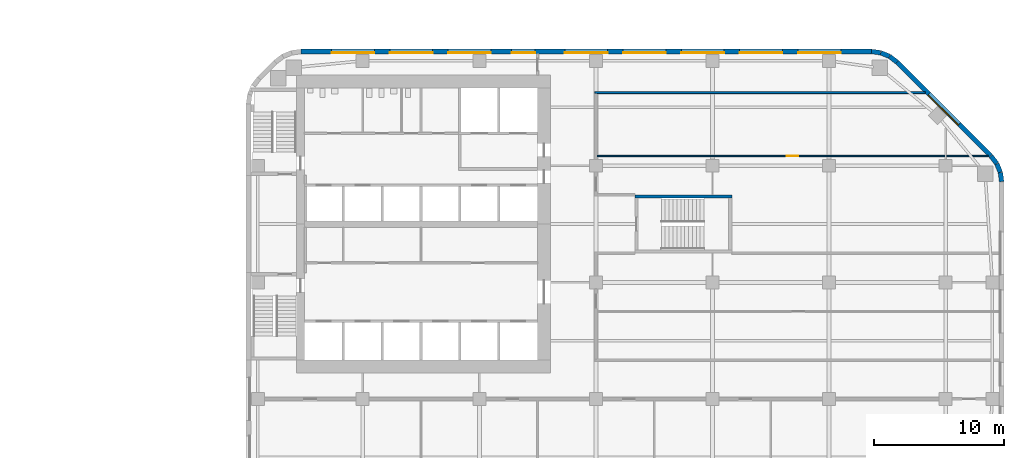
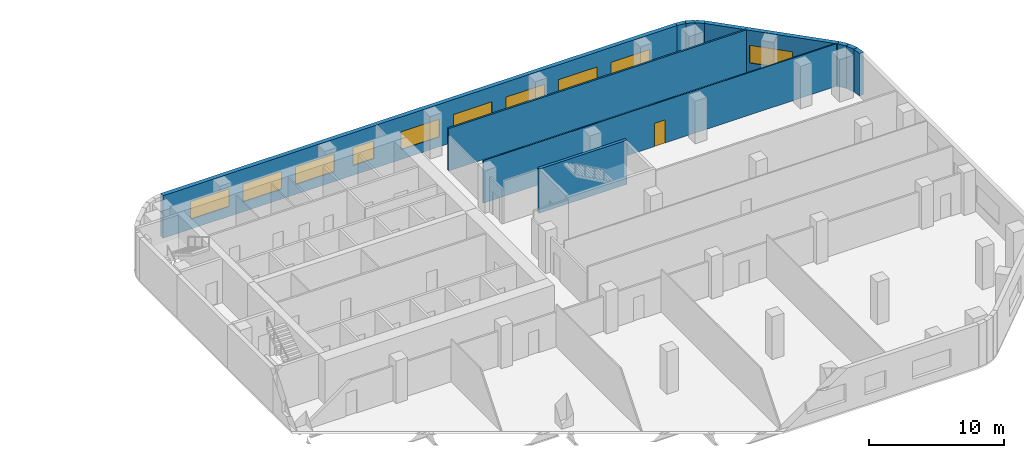
# One storey, part 11 of 15: 11 walls, 10 windows, 1 door, 11 openings.
"""IFC4 building model written with IfcOpenShell, lengths in metres."""

from ifc_helpers import new_model, si_unit, direction, frame, frame_2d, origin, place, context, subcontext, project, spatial, rectangle, extrude, material, layer, layer_set, type_object, element, fill, save


model = new_model("IFC4")

# Units and contexts
model_context = context("Model", 3, precision=1e-05, world=origin(), true_north=direction((0.0, 1.0)))
body_context = subcontext(model_context, "Body", "Model", "MODEL_VIEW")
ifc_project = project(units=[si_unit("LENGTHUNIT", "METRE"), si_unit("AREAUNIT", "SQUARE_METRE"), si_unit("VOLUMEUNIT", "CUBIC_METRE"), si_unit("PLANEANGLEUNIT", "RADIAN"), si_unit("MASSUNIT", "GRAM", prefix="KILO")], contexts=[model_context])

# Site, building, storey
site_placement = place(None, origin())
site = spatial("IfcSite", under=ifc_project, at=site_placement, CompositionType="ELEMENT")
building_placement = place(site_placement, origin())
building = spatial("IfcBuilding", under=site, at=building_placement, Name="Cinnabar Reach Civic Tower", CompositionType="ELEMENT")
storey_placement = place(building_placement, frame((0.0, 0.0, 63.0)))
storey = spatial("IfcBuildingStorey", under=building, at=storey_placement, Name="L14", CompositionType="ELEMENT", Elevation=63.0)

# Walls
ifc_material_1 = material(Name="Facing brick with insulated backing", Category="masonry")
ifc_layer_1 = layer(ifc_material_1, 0.36)
ifc_layer_set_1 = layer_set([ifc_layer_1], Name="Brick corner wall")
wall_type_1 = type_object("IfcWallType", Name="Brick corner wall", PredefinedType="STANDARD", material=ifc_layer_set_1)
for number, where, z_axis, x_axis, name in (
    (1, (58.317, 34.7686, 0.0), (0.0, 0.0, 1.0), (-0.13055608231, 0.99144092581, 0.0), "Brick corner wall"),
    (2, (58.2181, 35.4973, 0.0), (0.0, 0.0, 1.0), (-0.382702709855, 0.923871547278, 0.0), "Brick corner wall"),
):
    element("IfcWall", number, at=place(storey_placement, frame(where, z_axis=z_axis, x_axis=x_axis)), inside=storey, type_object=wall_type_1, Name=name, PredefinedType="STANDARD", context=body_context, shape_type="SweptSolid", body=[
        extrude(rectangle(XDim=0.7131, YDim=0.36, at=frame_2d((0.3565, 0.0))), origin(), (0.0, 0.0, 1.0), 3.85),
    ])
for number, where, z_axis, x_axis, name in (
    (3, (57.934, 36.1755, 0.0), (0.0, 0.0, 1.0), (-0.608802368033, 0.793321924995, 0.0), "Brick corner wall"),
    (4, (50.2413, 43.9998, 0.0), (0.0, 0.0, 1.0), (-0.793321924995, 0.608802368033, 0.0), "Brick corner wall"),
):
    element("IfcWall", number, at=place(storey_placement, frame(where, z_axis=z_axis, x_axis=x_axis)), inside=storey, type_object=wall_type_1, Name=name, PredefinedType="STANDARD", context=body_context, shape_type="SweptSolid", body=[
        extrude(rectangle(XDim=0.7132, YDim=0.36, at=frame_2d((0.3566, 0.0))), origin(), (0.0, 0.0, 1.0), 3.85),
    ])
for number, where, z_axis, x_axis, name in (
    (5, (49.6561, 44.4452, 0.0), (0.0, 0.0, 1.0), (-0.923871547278, 0.382702709855, 0.0), "Brick corner wall"),
    (6, (48.9756, 44.7239, 0.0), (0.0, 0.0, 1.0), (-0.99144092581, 0.13055608231, 0.0), "Brick corner wall"),
):
    element("IfcWall", number, at=place(storey_placement, frame(where, z_axis=z_axis, x_axis=x_axis)), inside=storey, type_object=wall_type_1, Name=name, PredefinedType="STANDARD", context=body_context, shape_type="SweptSolid", body=[
        extrude(rectangle(XDim=0.7131, YDim=0.36, at=frame_2d((0.3565, 0.0))), origin(), (0.0, 0.0, 1.0), 3.85),
    ])

# Wall, opening, window
ifc_layer_2 = layer(ifc_material_1, 0.36)
ifc_layer_set_2 = layer_set([ifc_layer_2], Name="Brick pier and spandrel wall")
wall_type_2 = type_object("IfcWallType", Name="Brick pier and spandrel wall", PredefinedType="STANDARD", material=ifc_layer_set_2)
wall_1_placement = place(storey_placement, frame((57.494, 36.7514, 0.0), z_axis=(0.0, 0.0, 1.0), x_axis=(-0.707106781187, 0.707106781187, 0.0)))
wall_1 = element("IfcWall", 7, at=wall_1_placement, inside=storey, type_object=wall_type_2, Name="Brick facade wall", PredefinedType="STANDARD", context=body_context, shape_type="SweptSolid", body=[
    extrude(rectangle(XDim=10.2426, YDim=0.36, at=frame_2d((5.1213, 0.0))), origin(), (0.0, 0.0, 1.0), 3.85),
])
opening_1_placement = place(wall_1_placement, frame((3.4713, 0.0, 0.9)))
opening_1 = element("IfcOpeningElement", 8, at=opening_1_placement, cuts=wall_1, Name="Opening W1254", PredefinedType="OPENING", context=body_context, shape_type="SweptSolid", body=[
    extrude(rectangle(XDim=3.3, YDim=1.6, at=frame_2d((1.65, 0.8))), frame((0.0, 0.19, 0.0), z_axis=(0.0, -1.0, 0.0), x_axis=(1.0, 0.0, 0.0)), (0.0, 0.0, 1.0), 0.38),
])
ifc_material_2 = material(Name="Clear double glazing in aluminium frame", Category="aluminium")
window_type_1 = type_object("IfcWindowType", Name="Deep-set window A", PartitioningType="SINGLE_PANEL", PredefinedType="WINDOW", material=ifc_material_2)
window_1_placement = place(opening_1_placement, origin())
window_1 = element("IfcWindow", 9, at=window_1_placement, inside=storey, type_object=window_type_1, Name="Window northeast face", OverallHeight=1.6, OverallWidth=3.3, PartitioningType="SINGLE_PANEL", PredefinedType="WINDOW", context=body_context, shape_type="SweptSolid", body=[
    extrude(rectangle(XDim=3.3, YDim=1.6, at=frame_2d((1.65, 0.8))), frame((0.0, 0.13, 0.0), z_axis=(0.0, -1.0, 0.0), x_axis=(1.0, 0.0, 0.0)), (0.0, 0.0, 1.0), 0.06),
])
fill(opening_1, window_1)

# Wall, openings, windows
wall_2_placement = place(storey_placement, frame((48.2574, 44.82, 0.0), z_axis=(0.0, 0.0, 1.0), x_axis=(-1.0, 0.0, 0.0)))
wall_2 = element("IfcWall", 10, at=wall_2_placement, inside=storey, type_object=wall_type_2, Name="Brick facade wall", PredefinedType="STANDARD", context=body_context, shape_type="SweptSolid", body=[
    extrude(rectangle(XDim=44.0148, YDim=0.36, at=frame_2d((22.0074, 0.0))), origin(), (0.0, 0.0, 1.0), 3.85),
])
opening_2_placement = place(wall_2_placement, frame((2.3574, 0.0, 0.9)))
opening_2 = element("IfcOpeningElement", 11, at=opening_2_placement, cuts=wall_2, Name="Opening W1255", PredefinedType="OPENING", context=body_context, shape_type="SweptSolid", body=[
    extrude(rectangle(XDim=3.3, YDim=1.6, at=frame_2d((1.65, 0.8))), frame((0.0, 0.19, 0.0), z_axis=(0.0, -1.0, 0.0), x_axis=(1.0, 0.0, 0.0)), (0.0, 0.0, 1.0), 0.38),
])
opening_3_placement = place(wall_2_placement, frame((6.8574, 0.0, 0.9)))
opening_3 = element("IfcOpeningElement", 12, at=opening_3_placement, cuts=wall_2, Name="Opening W1256", PredefinedType="OPENING", context=body_context, shape_type="SweptSolid", body=[
    extrude(rectangle(XDim=3.3, YDim=1.6, at=frame_2d((1.65, 0.8))), frame((0.0, 0.19, 0.0), z_axis=(0.0, -1.0, 0.0), x_axis=(1.0, 0.0, 0.0)), (0.0, 0.0, 1.0), 0.38),
])
opening_4_placement = place(wall_2_placement, frame((11.3574, 0.0, 0.9)))
opening_4 = element("IfcOpeningElement", 13, at=opening_4_placement, cuts=wall_2, Name="Opening W1257", PredefinedType="OPENING", context=body_context, shape_type="SweptSolid", body=[
    extrude(rectangle(XDim=3.3, YDim=1.6, at=frame_2d((1.65, 0.8))), frame((0.0, 0.19, 0.0), z_axis=(0.0, -1.0, 0.0), x_axis=(1.0, 0.0, 0.0)), (0.0, 0.0, 1.0), 0.38),
])
opening_5_placement = place(wall_2_placement, frame((15.8574, 0.0, 0.9)))
opening_5 = element("IfcOpeningElement", 14, at=opening_5_placement, cuts=wall_2, Name="Opening W1258", PredefinedType="OPENING", context=body_context, shape_type="SweptSolid", body=[
    extrude(rectangle(XDim=3.3, YDim=1.6, at=frame_2d((1.65, 0.8))), frame((0.0, 0.19, 0.0), z_axis=(0.0, -1.0, 0.0), x_axis=(1.0, 0.0, 0.0)), (0.0, 0.0, 1.0), 0.38),
])
opening_6_placement = place(wall_2_placement, frame((20.3574, 0.0, 0.9)))
opening_6 = element("IfcOpeningElement", 15, at=opening_6_placement, cuts=wall_2, Name="Opening W1259", PredefinedType="OPENING", context=body_context, shape_type="SweptSolid", body=[
    extrude(rectangle(XDim=3.3, YDim=1.6, at=frame_2d((1.65, 0.8))), frame((0.0, 0.19, 0.0), z_axis=(0.0, -1.0, 0.0), x_axis=(1.0, 0.0, 0.0)), (0.0, 0.0, 1.0), 0.38),
])
opening_7_placement = place(wall_2_placement, frame((25.9574, 0.0, 0.9)))
opening_7 = element("IfcOpeningElement", 16, at=opening_7_placement, cuts=wall_2, Name="Opening W1260", PredefinedType="OPENING", context=body_context, shape_type="SweptSolid", body=[
    extrude(rectangle(XDim=1.8, YDim=1.6, at=frame_2d((0.9, 0.8))), frame((0.0, 0.19, 0.0), z_axis=(0.0, -1.0, 0.0), x_axis=(1.0, 0.0, 0.0)), (0.0, 0.0, 1.0), 0.38),
])
opening_8_placement = place(wall_2_placement, frame((29.3574, 0.0, 0.9)))
opening_8 = element("IfcOpeningElement", 17, at=opening_8_placement, cuts=wall_2, Name="Opening W1261", PredefinedType="OPENING", context=body_context, shape_type="SweptSolid", body=[
    extrude(rectangle(XDim=3.3, YDim=1.6, at=frame_2d((1.65, 0.8))), frame((0.0, 0.19, 0.0), z_axis=(0.0, -1.0, 0.0), x_axis=(1.0, 0.0, 0.0)), (0.0, 0.0, 1.0), 0.38),
])
opening_9_placement = place(wall_2_placement, frame((33.8574, 0.0, 0.9)))
opening_9 = element("IfcOpeningElement", 18, at=opening_9_placement, cuts=wall_2, Name="Opening W1262", PredefinedType="OPENING", context=body_context, shape_type="SweptSolid", body=[
    extrude(rectangle(XDim=3.3, YDim=1.6, at=frame_2d((1.65, 0.8))), frame((0.0, 0.19, 0.0), z_axis=(0.0, -1.0, 0.0), x_axis=(1.0, 0.0, 0.0)), (0.0, 0.0, 1.0), 0.38),
])
opening_10_placement = place(wall_2_placement, frame((38.3574, 0.0, 0.9)))
opening_10 = element("IfcOpeningElement", 19, at=opening_10_placement, cuts=wall_2, Name="Opening W1263", PredefinedType="OPENING", context=body_context, shape_type="SweptSolid", body=[
    extrude(rectangle(XDim=3.3, YDim=1.6, at=frame_2d((1.65, 0.8))), frame((0.0, 0.19, 0.0), z_axis=(0.0, -1.0, 0.0), x_axis=(1.0, 0.0, 0.0)), (0.0, 0.0, 1.0), 0.38),
])
window_2_placement = place(opening_2_placement, origin())
window_2 = element("IfcWindow", 20, at=window_2_placement, inside=storey, type_object=window_type_1, Name="Window north face", OverallHeight=1.6, OverallWidth=3.3, PartitioningType="SINGLE_PANEL", PredefinedType="WINDOW", context=body_context, shape_type="SweptSolid", body=[
    extrude(rectangle(XDim=3.3, YDim=1.6, at=frame_2d((1.65, 0.8))), frame((0.0, 0.13, 0.0), z_axis=(0.0, -1.0, 0.0), x_axis=(1.0, 0.0, 0.0)), (0.0, 0.0, 1.0), 0.06),
])
fill(opening_2, window_2)
window_3_placement = place(opening_3_placement, origin())
window_3 = element("IfcWindow", 21, at=window_3_placement, inside=storey, type_object=window_type_1, Name="Window north face", OverallHeight=1.6, OverallWidth=3.3, PartitioningType="SINGLE_PANEL", PredefinedType="WINDOW", context=body_context, shape_type="SweptSolid", body=[
    extrude(rectangle(XDim=3.3, YDim=1.6, at=frame_2d((1.65, 0.8))), frame((0.0, 0.13, 0.0), z_axis=(0.0, -1.0, 0.0), x_axis=(1.0, 0.0, 0.0)), (0.0, 0.0, 1.0), 0.06),
])
fill(opening_3, window_3)
window_4_placement = place(opening_4_placement, origin())
window_4 = element("IfcWindow", 22, at=window_4_placement, inside=storey, type_object=window_type_1, Name="Window north face", OverallHeight=1.6, OverallWidth=3.3, PartitioningType="SINGLE_PANEL", PredefinedType="WINDOW", context=body_context, shape_type="SweptSolid", body=[
    extrude(rectangle(XDim=3.3, YDim=1.6, at=frame_2d((1.65, 0.8))), frame((0.0, 0.13, 0.0), z_axis=(0.0, -1.0, 0.0), x_axis=(1.0, 0.0, 0.0)), (0.0, 0.0, 1.0), 0.06),
])
fill(opening_4, window_4)
window_5_placement = place(opening_5_placement, origin())
window_5 = element("IfcWindow", 23, at=window_5_placement, inside=storey, type_object=window_type_1, Name="Window north face", OverallHeight=1.6, OverallWidth=3.3, PartitioningType="SINGLE_PANEL", PredefinedType="WINDOW", context=body_context, shape_type="SweptSolid", body=[
    extrude(rectangle(XDim=3.3, YDim=1.6, at=frame_2d((1.65, 0.8))), frame((0.0, 0.13, 0.0), z_axis=(0.0, -1.0, 0.0), x_axis=(1.0, 0.0, 0.0)), (0.0, 0.0, 1.0), 0.06),
])
fill(opening_5, window_5)
window_6_placement = place(opening_6_placement, origin())
window_6 = element("IfcWindow", 24, at=window_6_placement, inside=storey, type_object=window_type_1, Name="Window north face", OverallHeight=1.6, OverallWidth=3.3, PartitioningType="SINGLE_PANEL", PredefinedType="WINDOW", context=body_context, shape_type="SweptSolid", body=[
    extrude(rectangle(XDim=3.3, YDim=1.6, at=frame_2d((1.65, 0.8))), frame((0.0, 0.13, 0.0), z_axis=(0.0, -1.0, 0.0), x_axis=(1.0, 0.0, 0.0)), (0.0, 0.0, 1.0), 0.06),
])
fill(opening_6, window_6)
window_7_placement = place(opening_8_placement, origin())
window_7 = element("IfcWindow", 25, at=window_7_placement, inside=storey, type_object=window_type_1, Name="Window north face", OverallHeight=1.6, OverallWidth=3.3, PartitioningType="SINGLE_PANEL", PredefinedType="WINDOW", context=body_context, shape_type="SweptSolid", body=[
    extrude(rectangle(XDim=3.3, YDim=1.6, at=frame_2d((1.65, 0.8))), frame((0.0, 0.13, 0.0), z_axis=(0.0, -1.0, 0.0), x_axis=(1.0, 0.0, 0.0)), (0.0, 0.0, 1.0), 0.06),
])
fill(opening_8, window_7)
window_8_placement = place(opening_9_placement, origin())
window_8 = element("IfcWindow", 26, at=window_8_placement, inside=storey, type_object=window_type_1, Name="Window north face", OverallHeight=1.6, OverallWidth=3.3, PartitioningType="SINGLE_PANEL", PredefinedType="WINDOW", context=body_context, shape_type="SweptSolid", body=[
    extrude(rectangle(XDim=3.3, YDim=1.6, at=frame_2d((1.65, 0.8))), frame((0.0, 0.13, 0.0), z_axis=(0.0, -1.0, 0.0), x_axis=(1.0, 0.0, 0.0)), (0.0, 0.0, 1.0), 0.06),
])
fill(opening_9, window_8)
window_9_placement = place(opening_10_placement, origin())
window_9 = element("IfcWindow", 27, at=window_9_placement, inside=storey, type_object=window_type_1, Name="Window north face", OverallHeight=1.6, OverallWidth=3.3, PartitioningType="SINGLE_PANEL", PredefinedType="WINDOW", context=body_context, shape_type="SweptSolid", body=[
    extrude(rectangle(XDim=3.3, YDim=1.6, at=frame_2d((1.65, 0.8))), frame((0.0, 0.13, 0.0), z_axis=(0.0, -1.0, 0.0), x_axis=(1.0, 0.0, 0.0)), (0.0, 0.0, 1.0), 0.06),
])
fill(opening_10, window_9)
window_type_2 = type_object("IfcWindowType", Name="Deep-set window D", PartitioningType="SINGLE_PANEL", PredefinedType="WINDOW", material=ifc_material_2)
window_10_placement = place(opening_7_placement, origin())
window_10 = element("IfcWindow", 28, at=window_10_placement, inside=storey, type_object=window_type_2, Name="Window north face", OverallHeight=1.6, OverallWidth=1.8, PartitioningType="SINGLE_PANEL", PredefinedType="WINDOW", context=body_context, shape_type="SweptSolid", body=[
    extrude(rectangle(XDim=1.8, YDim=1.6, at=frame_2d((0.9, 0.8))), frame((0.0, 0.13, 0.0), z_axis=(0.0, -1.0, 0.0), x_axis=(1.0, 0.0, 0.0)), (0.0, 0.0, 1.0), 0.06),
])
fill(opening_7, window_10)

# Wall
ifc_material_3 = material(Name="Gypsum board on steel studs, double layer", Category="steel")
ifc_layer_3 = layer(ifc_material_3, 0.15)
ifc_layer_set_3 = layer_set([ifc_layer_3], Name="Corridor wall 150 T1")
wall_type_3 = type_object("IfcWallType", Name="Corridor wall 150 T1", PredefinedType="PARTITIONING", material=ifc_layer_set_3)
wall_3_placement = place(storey_placement, frame((26.925, 41.65, 0.0), z_axis=(0.0, 0.0, 1.0), x_axis=(1.0, 0.0, 0.0)))
element("IfcWall", 29, at=wall_3_placement, inside=storey, type_object=wall_type_3, Name="Corridor wall 27", PredefinedType="PARTITIONING", context=body_context, shape_type="SweptSolid", body=[
    extrude(rectangle(XDim=25.4909, YDim=0.15, at=frame_2d((12.7454, 0.0))), origin(), (0.0, 0.0, 1.0), 3.85),
])

# Wall, opening, door
ifc_material_4 = material(Name="Gypsum board on steel studs", Category="steel")
ifc_layer_4 = layer(ifc_material_4, 0.1)
ifc_layer_set_4 = layer_set([ifc_layer_4], Name="Partition wall 100 T1")
wall_type_4 = type_object("IfcWallType", Name="Partition wall 100 T1", PredefinedType="PARTITIONING", material=ifc_layer_set_4)
wall_4_placement = place(storey_placement, frame((27.075, 36.75, 0.0), z_axis=(0.0, 0.0, 1.0), x_axis=(1.0, 0.0, 0.0)))
wall_4 = element("IfcWall", 30, at=wall_4_placement, inside=storey, type_object=wall_type_4, Name="Partition wall 43", PredefinedType="PARTITIONING", context=body_context, shape_type="SweptSolid", body=[
    extrude(rectangle(XDim=30.2159, YDim=0.1, at=frame_2d((15.108, 0.0))), origin(), (0.0, 0.0, 1.0), 3.85),
])
opening_11_placement = place(wall_4_placement, frame((14.65, 0.0, 0.0)))
opening_11 = element("IfcOpeningElement", 31, at=opening_11_placement, cuts=wall_4, Name="Opening D3586", PredefinedType="OPENING", context=body_context, shape_type="SweptSolid", body=[
    extrude(rectangle(XDim=0.9, YDim=2.1, at=frame_2d((0.45, 1.05))), frame((0.0, 0.06, 0.0), z_axis=(0.0, -1.0, 0.0), x_axis=(1.0, 0.0, 0.0)), (0.0, 0.0, 1.0), 0.12),
])
ifc_material_5 = material(Name="Timber door leaf in steel frame", Category="steel")
door_type = type_object("IfcDoorType", Name="Single swing door 900 x 2100 T1", OperationType="SINGLE_SWING_LEFT", PredefinedType="DOOR", material=ifc_material_5)
door_placement = place(opening_11_placement, origin())
door = element("IfcDoor", 32, at=door_placement, inside=storey, type_object=door_type, Name="Door D3586", OperationType="SINGLE_SWING_LEFT", OverallHeight=2.1, OverallWidth=0.9, PredefinedType="DOOR", context=body_context, shape_type="SweptSolid", body=[
    extrude(rectangle(XDim=0.9, YDim=2.1, at=frame_2d((0.45, 1.05))), frame((0.0, 0.025, 0.0), z_axis=(0.0, -1.0, 0.0), x_axis=(1.0, 0.0, 0.0)), (0.0, 0.0, 1.0), 0.05),
])
fill(opening_11, door)

# Wall
ifc_material_6 = material(Name="Concrete C60", Category="concrete")
ifc_layer_5 = layer(ifc_material_6, 0.25)
ifc_layer_set_5 = layer_set([ifc_layer_5], Name="Stair shaft wall 250 EI 120")
wall_type_5 = type_object("IfcWallType", Name="Stair shaft wall 250 EI 120", PredefinedType="SOLIDWALL", material=ifc_layer_set_5)
wall_5_placement = place(storey_placement, frame((37.5, 33.625, 0.0), z_axis=(0.0, 0.0, 1.0), x_axis=(-1.0, 0.0, 0.0)))
element("IfcWall", 33, at=wall_5_placement, inside=storey, type_object=wall_type_5, Name="Stair shaft wall T1-S3 L14", PredefinedType="SOLIDWALL", context=body_context, shape_type="SweptSolid", body=[
    extrude(rectangle(XDim=7.5, YDim=0.25, at=frame_2d((3.75, 0.0))), origin(), (0.0, 0.0, 1.0), 4.0),
])

save(model, "model.ifc")
